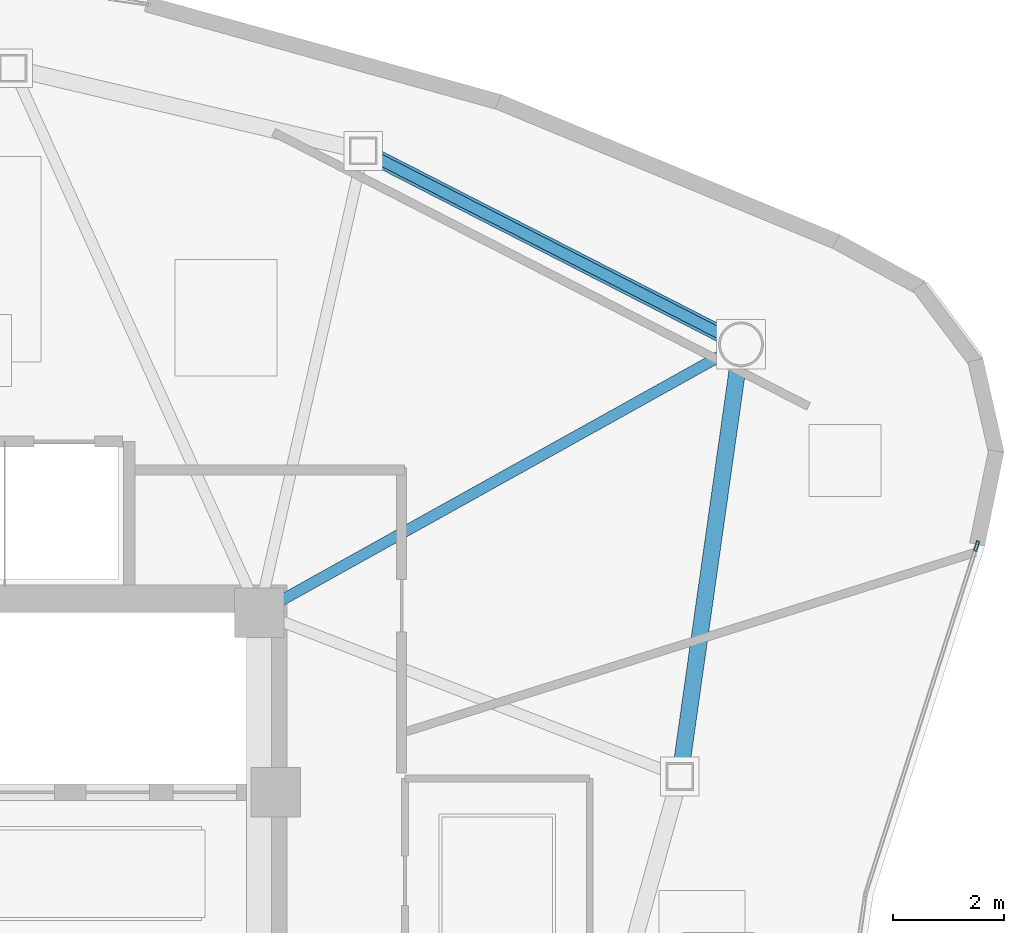
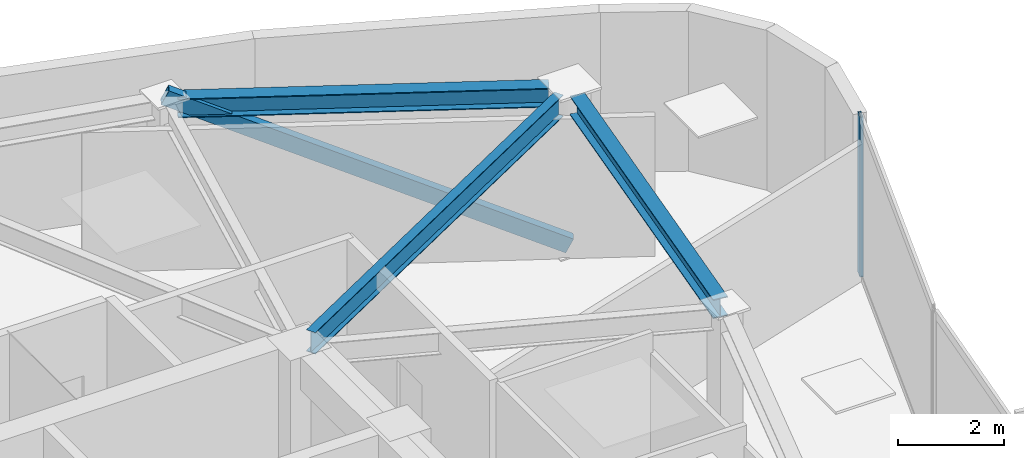
# One storey, part 7 of 14: 3 beams, 2 members, 1 element without a shape of its own.
"""IFC4 building model written with IfcOpenShell, lengths in metres."""

from ifc_helpers import new_model, si_unit, direction, frame, origin, origin_2d, place, context, subcontext, project, spatial, hollow_rectangle, i_section, extrude, source, transform, mapped, material, layer, layer_set, material_profile, profile_set, type_object, type_shapes, element, aggregate, save


model = new_model("IFC4")

# Units and contexts
model_context = context("Model", 3, precision=1e-05, world=origin(), true_north=direction((0.0, 1.0)))
body_context = subcontext(model_context, "Body", "Model", "MODEL_VIEW")
ifc_project = project(units=[si_unit("LENGTHUNIT", "METRE"), si_unit("AREAUNIT", "SQUARE_METRE"), si_unit("VOLUMEUNIT", "CUBIC_METRE"), si_unit("PLANEANGLEUNIT", "RADIAN"), si_unit("MASSUNIT", "GRAM", prefix="KILO")], contexts=[model_context])

# Site, building, storey
site_placement = place(None, origin())
site = spatial("IfcSite", under=ifc_project, at=site_placement, CompositionType="ELEMENT")
building_placement = place(site_placement, origin())
building = spatial("IfcBuilding", under=site, at=building_placement, Name="Tavelor Broadcast Tower", CompositionType="ELEMENT")
storey_placement = place(building_placement, frame((0.0, 0.0, 273.5)))
storey = spatial("IfcBuildingStorey", under=building, at=storey_placement, Name="L65", CompositionType="ELEMENT", Elevation=273.5)

# Beams
ifc_material_1 = material(Name="Steel S355", Category="steel")
ifc_material_profile_1 = material_profile(ifc_material_1, i_section(OverallWidth=0.300048828125, OverallDepth=0.43994140625, WebThickness=0.011474609375, FlangeThickness=0.02099609375, at=origin_2d()), Name="HEA 450")
ifc_profile_set_1 = profile_set([ifc_material_profile_1], Name="Steel S355")
beam_type_1 = type_object("IfcBeamType", Name="Perimeter Spandrel Beam T7 HEA 450", PredefinedType="SPANDREL", material=ifc_profile_set_1)
beam_1_placement = place(storey_placement, frame((64.248046875, 48.47509765625, 3.47998046875), z_axis=(0.139953453654, 0.990158083747, 0.0), x_axis=(-0.990158083747, 0.139953453654, 0.0)))
element("IfcBeam", 1, at=beam_1_placement, inside=storey, type_object=beam_type_1, Name="L65 Framed-Tube Ring Spandrel 12", PredefinedType="SPANDREL", context=body_context, shape_type="SweptSolid", body=[
    extrude(i_section(OverallWidth=0.300048828125, OverallDepth=0.43994140625, WebThickness=0.011474609375, FlangeThickness=0.02099609375, at=origin_2d()), origin(), (0.0, 0.0, 1.0), 7.265625),
])
beam_2_placement = place(storey_placement, frame((64.97216796875, 56.2333984375, 3.47998046875), z_axis=(-0.889963826526, 0.456031125556, 0.0), x_axis=(-0.456031125556, -0.889963826526, 0.0)))
element("IfcBeam", 2, at=beam_2_placement, inside=storey, type_object=beam_type_1, Name="L65 Framed-Tube Ring Spandrel 13", PredefinedType="SPANDREL", context=body_context, shape_type="SweptSolid", body=[
    extrude(i_section(OverallWidth=0.300048828125, OverallDepth=0.43994140625, WebThickness=0.011474609375, FlangeThickness=0.02099609375, at=origin_2d()), origin(), (0.0, 0.0, 1.0), 7.048583984375),
])

# Member
ifc_material_profile_2 = material_profile(ifc_material_1, hollow_rectangle(XDim=0.199951171875, YDim=0.35009765625, WallThickness=0.01611328125, at=origin_2d()), Name="RHS 350x200x16")
ifc_profile_set_2 = profile_set([ifc_material_profile_2], Name="Steel S355")
member_type_1 = type_object("IfcMemberType", Name="Perimeter Tube Brace T7 RHS 350x200x16", PredefinedType="BRACE", material=ifc_profile_set_2)
member_1_placement = place(storey_placement, frame((65.319580078125, 56.0556640625, 0.0), z_axis=(-0.801763897696, 0.410792291396, 0.434078732123), x_axis=(-0.455992584505, -0.889983574498, 0.0)))
element("IfcMember", 3, at=member_1_placement, inside=storey, type_object=member_type_1, Name="L65 Corner Tube Diagonal Brace 3", PredefinedType="BRACE", context=body_context, shape_type="SweptSolid", body=[
    extrude(hollow_rectangle(XDim=0.199951171875, YDim=0.35009765625, WallThickness=0.01611328125, at=origin_2d()), origin(), (0.0, 0.0, 1.0), 8.523681640625),
])

# Beam
ifc_material_profile_3 = material_profile(ifc_material_1, i_section(OverallWidth=0.199951171875, OverallDepth=0.5, WebThickness=0.01025390625, FlangeThickness=0.01611328125, at=origin_2d()), Name="IPE 500")
ifc_profile_set_3 = profile_set([ifc_material_profile_3], Name="Steel S355")
beam_type_2 = type_object("IfcBeamType", Name="Radial Floor Girder T7 IPE 500", PredefinedType="BEAM", material=ifc_profile_set_3)
beam_3_placement = place(storey_placement, frame((56.977294921875, 51.41015625, 3.449951171875), z_axis=(0.873672716844, 0.486514114741, 0.0), x_axis=(-0.486514114741, 0.873672716844, 0.0)))
element("IfcBeam", 4, at=beam_3_placement, inside=storey, type_object=beam_type_2, Name="L65 Radial Primary Floor Girder 13", PredefinedType="BEAM", context=body_context, shape_type="SweptSolid", body=[
    extrude(i_section(OverallWidth=0.199951171875, OverallDepth=0.5, WebThickness=0.01025390625, FlangeThickness=0.01611328125, at=origin_2d()), origin(), (0.0, 0.0, 1.0), 9.158203125),
])

# Curtain wall, member
ifc_material_2 = material(Name="Architectural Anodized Aluminium", Category="aluminium")
ifc_layer = layer(ifc_material_2, 0.199951171875)
ifc_layer_set = layer_set([ifc_layer], Name="Architectural Anodized Aluminium")
curtain_wall_type = type_object("IfcCurtainWallType", Name="Tower High-Zone Triple-Glazed Curtain Wall CW04", PredefinedType="NOTDEFINED", material=ifc_layer_set)
curtain_wall_placement = place(storey_placement, origin())
curtain_wall = element("IfcCurtainWall", 5, at=curtain_wall_placement, inside=storey, type_object=curtain_wall_type, Name="L65 Curtain Wall CW04 Run 716", PredefinedType="NOTDEFINED")
ifc_material_profile_4 = material_profile(ifc_material_2, hollow_rectangle(XDim=0.070068359375, YDim=0.199951171875, WallThickness=0.02197265625, at=origin_2d()), Name="RHS 70x200x22")
ifc_profile_set_4 = profile_set([ifc_material_profile_4], Name="Architectural Anodized Aluminium")
member_type_2 = type_object("IfcMemberType", Name="CW04 Extruded Aluminium Mullion 70x200", PredefinedType="MULLION", material=ifc_profile_set_4)
shared_shape = source(origin(), body_context, "Body", "SweptSolid", [
    extrude(hollow_rectangle(XDim=0.070068359375, YDim=0.199951171875, WallThickness=0.02197265625, at=origin_2d()), origin(), (0.0, 0.0, 1.0), 3.699951171875),
])
type_shapes(member_type_2, [shared_shape])
member_2_placement = place(storey_placement, frame((69.583740234375, 52.407958984375, 0.0), z_axis=(0.0, 0.0, 1.0), x_axis=(-0.952538055495, 0.304419534252, 0.0)))
member_2 = element("IfcMember", 6, at=member_2_placement, type_object=member_type_2, Name="CW04 mullion 2", PredefinedType="MULLION", context=body_context, shape_type="MappedRepresentation", body=[
    mapped(shared_shape, transform((0.0, 0.0, 0.0), scale=1.0)),
])
aggregate(curtain_wall, [member_2])

save(model, "model.ifc")
